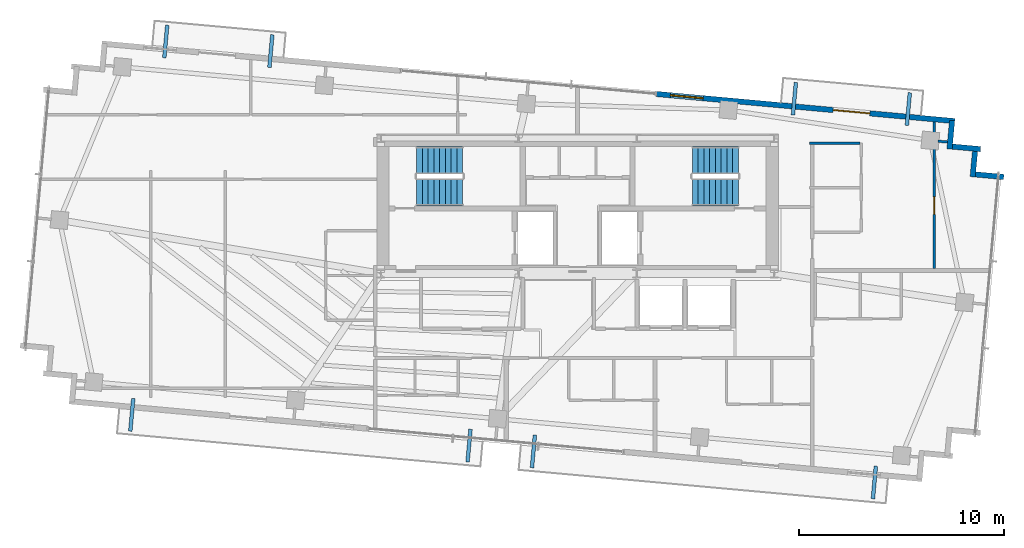
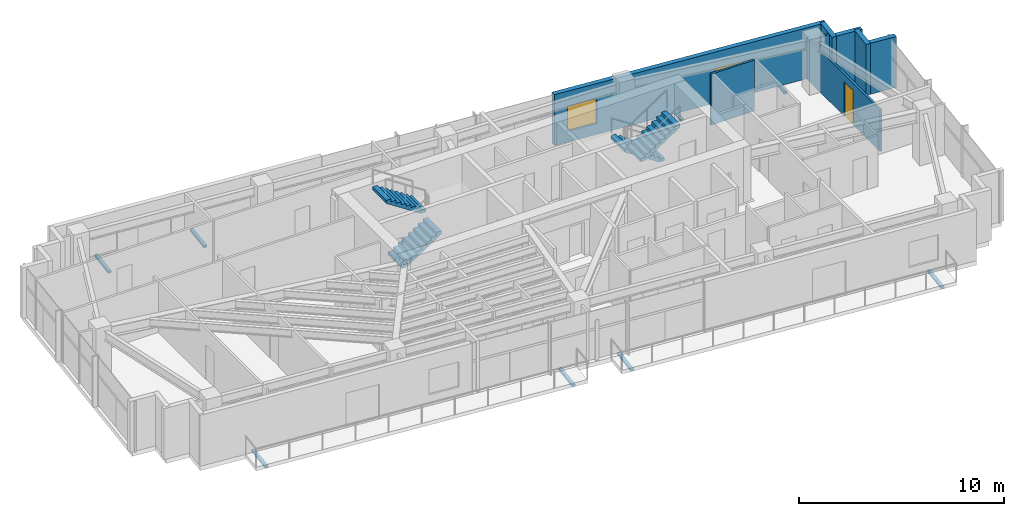
# One storey, part 19 of 22: 8 discrete accessories, 8 walls, 4 stair flights, 2 doors, 1 window, 3 openings, 2 elements without a shape of their own.
"""IFC4 building model written with IfcOpenShell, lengths in metres."""

from ifc_helpers import new_model, si_unit, direction, frame, frame_2d, origin, origin_2d, place, context, subcontext, project, spatial, polyline, rectangle, outline, extrude, source, transform, mapped, material, layer, layer_set, type_object, type_shapes, element, fill, aggregate, save


model = new_model("IFC4")

# Units and contexts
model_context = context("Model", 3, precision=1e-05, world=origin(), true_north=direction((0.0, 1.0)))
body_context = subcontext(model_context, "Body", "Model", "MODEL_VIEW")
ifc_project = project(units=[si_unit("LENGTHUNIT", "METRE"), si_unit("AREAUNIT", "SQUARE_METRE"), si_unit("VOLUMEUNIT", "CUBIC_METRE"), si_unit("PLANEANGLEUNIT", "RADIAN"), si_unit("MASSUNIT", "GRAM", prefix="KILO")], contexts=[model_context])

# Site, building, storey
site_placement = place(None, origin())
site = spatial("IfcSite", under=ifc_project, at=site_placement, CompositionType="ELEMENT")
building_placement = place(site_placement, origin())
building = spatial("IfcBuilding", under=site, at=building_placement, Name="Astriad Promenade Condominiums", CompositionType="ELEMENT")
storey_placement = place(building_placement, frame((0.0, 0.0, 233.10009765625)))
storey = spatial("IfcBuildingStorey", under=building, at=storey_placement, Name="L67", CompositionType="ELEMENT", Elevation=233.10009765625)

# Wall, openings, door, window
ifc_material_1 = material(Name="Precast concrete C50/60", Category="concrete")
ifc_layer_1 = layer(ifc_material_1, 0.260009765625)
ifc_layer_set_1 = layer_set([ifc_layer_1], Name="Precast concrete C50/60")
wall_type_1 = type_object("IfcWallType", Name="WALL-EXT-TWR-260", PredefinedType="STANDARD", material=ifc_layer_set_1)
wall_1_placement = place(storey_placement, frame((39.839111328125, 26.16552734375, 0.0), z_axis=(0.0, 0.0, 1.0), x_axis=(0.995884447498, -0.090632043071, 0.0)))
wall_1 = element("IfcWall", 1, at=wall_1_placement, inside=storey, type_object=wall_type_1, Name="W-EXT-L67-N2", PredefinedType="STANDARD", context=body_context, shape_type="SweptSolid", body=[
    extrude(rectangle(XDim=14.6298828125, YDim=0.260009765625, at=frame_2d((7.31494140625, 0.0))), origin(), (0.0, 0.0, 1.0), 3.039794921875),
])
opening_1_placement = place(wall_1_placement, frame((8.669921875, 0.0, 0.0)))
opening_1 = element("IfcOpeningElement", 2, at=opening_1_placement, cuts=wall_1, Name="Opening BD-1822-SLD", PredefinedType="OPENING", context=body_context, shape_type="SweptSolid", body=[
    extrude(rectangle(XDim=1.800048828125, YDim=2.06005859375, at=frame_2d((0.89990234375, 1.030029296875))), frame((0.0, 0.139892578125, 0.0), z_axis=(0.0, -1.0, 0.0), x_axis=(1.0, 0.0, 0.0)), (0.0, 0.0, 1.0), 0.280029296875),
])
opening_2_placement = place(wall_1_placement, frame((0.699951171875, 0.0, 0.64990234375)))
opening_2 = element("IfcOpeningElement", 3, at=opening_2_placement, cuts=wall_1, Name="Opening WIN-TWR-1620", PredefinedType="OPENING", context=body_context, shape_type="SweptSolid", body=[
    extrude(rectangle(XDim=1.60009765625, YDim=1.5, at=frame_2d((0.800048828125, 0.75))), frame((0.0, 0.139892578125, 0.0), z_axis=(0.0, -1.0, 0.0), x_axis=(1.0, 0.0, 0.0)), (0.0, 0.0, 1.0), 0.280029296875),
])
ifc_material_2 = material(Name="Thermally Broken Aluminium Sliding Balcony Door", Category="aluminium")
door_type_1 = type_object("IfcDoorType", Name="BD-1822-SLD", OperationType="NOTDEFINED", PredefinedType="DOOR", material=ifc_material_2)
shared_shape_1 = source(origin(), body_context, "Body", "SweptSolid", [
    extrude(rectangle(XDim=1.800048828125, YDim=2.06005859375, at=frame_2d((0.89990234375, 1.030029296875))), frame((0.0, 0.02490234375, 0.0), z_axis=(0.0, -1.0, 0.0), x_axis=(1.0, 0.0, 0.0)), (0.0, 0.0, 1.0), 0.050048828125),
])
type_shapes(door_type_1, [shared_shape_1])
door_1_placement = place(opening_1_placement, origin())
door_1 = element("IfcDoor", 4, at=door_1_placement, inside=storey, type_object=door_type_1, Name="BD-L67-NE", OperationType="SLIDING_TO_RIGHT", OverallHeight=2.06005859375, OverallWidth=1.800048828125, PredefinedType="DOOR", context=body_context, shape_type="MappedRepresentation", body=[
    mapped(shared_shape_1, transform((0.0, 0.0, 0.0), scale=1.0)),
])
fill(opening_1, door_1)
ifc_material_3 = material(Name="Dark Tinted Triple-Glazed Aluminium Window", Category="aluminium")
window_type = type_object("IfcWindowType", Name="WIN-TWR-1620", PartitioningType="SINGLE_PANEL", PredefinedType="WINDOW", material=ifc_material_3)
shared_shape_2 = source(origin(), body_context, "Body", "SweptSolid", [
    extrude(rectangle(XDim=1.60009765625, YDim=1.5, at=frame_2d((0.800048828125, 0.75))), frame((0.0, 0.030029296875, 0.0), z_axis=(0.0, -1.0, 0.0), x_axis=(1.0, 0.0, 0.0)), (0.0, 0.0, 1.0), 0.06005859375),
])
type_shapes(window_type, [shared_shape_2])
window_placement = place(opening_2_placement, origin())
window = element("IfcWindow", 5, at=window_placement, inside=storey, type_object=window_type, Name="WIN-L67-NE", OverallHeight=1.5, OverallWidth=1.60009765625, PartitioningType="SINGLE_PANEL", PredefinedType="WINDOW", context=body_context, shape_type="MappedRepresentation", body=[
    mapped(shared_shape_2, transform((0.0, 0.0, 0.0), scale=1.0)),
])
fill(opening_2, window)

# Walls
wall_2_placement = place(storey_placement, frame((54.28076171875, 24.866455078125, 0.0), z_axis=(0.0, 0.0, 1.0), x_axis=(-0.090661991521, -0.995881721538, 0.0)))
element("IfcWall", 6, at=wall_2_placement, inside=storey, type_object=wall_type_1, Name="W-SER-L67-09", PredefinedType="STANDARD", context=body_context, shape_type="SweptSolid", body=[
    extrude(rectangle(XDim=1.39501953125, YDim=0.260009765625, at=frame_2d((0.697509765625, 0.0))), origin(), (0.0, 0.0, 1.0), 3.039794921875),
])
for number, where, z_axis, x_axis, name in (
    (7, (54.280517578125, 23.59619140625, 0.0), (0.0, 0.0, 1.0), (0.995883159782, -0.090646191665, 0.0), "W-SER-L67-10"),
    (8, (55.412353515625, 23.50830078125, 0.0), (0.0, 0.0, 1.0), (-0.090646191665, -0.995883159782, 0.0), "W-SER-L67-11"),
    (9, (55.412109375, 22.238037109375, 0.0), (0.0, 0.0, 1.0), (0.995883159782, -0.090646191665, 0.0), "W-SER-L67-12"),
):
    element("IfcWall", number, at=place(storey_placement, frame(where, z_axis=z_axis, x_axis=x_axis)), inside=storey, type_object=wall_type_1, Name=name, PredefinedType="STANDARD", context=body_context, shape_type="SweptSolid", body=[
        extrude(rectangle(XDim=1.395263671875, YDim=0.260009765625, at=frame_2d((0.69775390625, 0.0))), origin(), (0.0, 0.0, 1.0), 3.039794921875),
    ])
ifc_material_4 = material(Name="Acoustic Metal-Stud Gypsum Partition")
ifc_layer_2 = layer(ifc_material_4, 0.1201171875)
ifc_layer_set_2 = layer_set([ifc_layer_2], Name="Acoustic Metal-Stud Gypsum Partition")
wall_type_2 = type_object("IfcWallType", Name="WALL-PART-120", PredefinedType="PARTITIONING", material=ifc_layer_set_2)
wall_3_placement = place(storey_placement, frame((47.330078125, 23.77001953125, 0.0), z_axis=(0.0, 0.0, 1.0), x_axis=(1.0, 0.0, 0.0)))
element("IfcWall", 10, at=wall_3_placement, inside=storey, type_object=wall_type_2, Name="PT-L67-E2-PN", PredefinedType="PARTITIONING", context=body_context, shape_type="SweptSolid", body=[
    extrude(rectangle(XDim=2.4580078125, YDim=0.1201171875, at=frame_2d((1.22900390625, 0.0))), origin(), (0.0, 0.0, 1.0), 3.039794921875),
])

# Wall, opening, door
wall_4_placement = place(storey_placement, frame((53.4189453125, 17.652099609375, 0.0), z_axis=(0.0, 0.0, 1.0), x_axis=(0.0, 1.0, 0.0)))
wall_4 = element("IfcWall", 11, at=wall_4_placement, inside=storey, type_object=wall_type_2, Name="PT-L67-E2-B1", PredefinedType="PARTITIONING", context=body_context, shape_type="SweptSolid", body=[
    extrude(rectangle(XDim=7.14501953125, YDim=0.1201171875, at=frame_2d((3.572509765625, 0.0))), origin(), (0.0, 0.0, 1.0), 2.482421875),
])
opening_3_placement = place(wall_4_placement, frame((2.635986328125, 0.0, 0.0)))
opening_3 = element("IfcOpeningElement", 12, at=opening_3_placement, cuts=wall_4, Name="Opening D-INT-085", PredefinedType="OPENING", context=body_context, shape_type="SweptSolid", body=[
    extrude(rectangle(XDim=0.85009765625, YDim=2.050048828125, at=frame_2d((0.425048828125, 1.02490234375))), frame((0.0, 0.070068359375, 0.0), z_axis=(0.0, -1.0, 0.0), x_axis=(1.0, 0.0, 0.0)), (0.0, 0.0, 1.0), 0.14013671875),
])
ifc_material_5 = material(Name="Painted Solid-Core Timber Room Door", Category="wood")
door_type_2 = type_object("IfcDoorType", Name="D-INT-085", OperationType="NOTDEFINED", PredefinedType="DOOR", material=ifc_material_5)
shared_shape_3 = source(origin(), body_context, "Body", "SweptSolid", [
    extrude(rectangle(XDim=0.85009765625, YDim=2.050048828125, at=frame_2d((0.425048828125, 1.02490234375))), frame((0.0, 0.02490234375, 0.0), z_axis=(0.0, -1.0, 0.0), x_axis=(1.0, 0.0, 0.0)), (0.0, 0.0, 1.0), 0.050048828125),
])
type_shapes(door_type_2, [shared_shape_3])
door_2_placement = place(opening_3_placement, origin())
door_2 = element("IfcDoor", 13, at=door_2_placement, inside=storey, type_object=door_type_2, Name="D-BD1-L67-E2", OperationType="SINGLE_SWING_RIGHT", OverallHeight=2.050048828125, OverallWidth=0.85009765625, PredefinedType="DOOR", context=body_context, shape_type="MappedRepresentation", body=[
    mapped(shared_shape_3, transform((0.0, 0.0, 0.0), scale=1.0)),
])
fill(opening_3, door_2)

# Wall
wall_5_placement = place(storey_placement, frame((53.5966796875, 23.859375, 0.0), z_axis=(0.0, 0.0, 1.0), x_axis=(0.995884462012, -0.090631883588, 0.0)))
element("IfcWall", 14, at=wall_5_placement, inside=storey, type_object=wall_type_2, Name="PT-PIL-L67-PC10-17", PredefinedType="PARTITIONING", context=body_context, shape_type="SweptSolid", body=[
    extrude(rectangle(XDim=0.4580078125, YDim=0.1201171875, at=frame_2d((0.22900390625, 0.0))), origin(), (0.0, 0.0, 1.0), 3.039794921875),
])

# Stair, stair flights
ifc_material_6 = material(Name="Concrete C50/60", Category="concrete")
stair_type = type_object("IfcStairType", Name="STR-CORE-1350", PredefinedType="HALF_TURN_STAIR", material=ifc_material_6)
stair_1_placement = place(storey_placement, origin())
stair_1 = element("IfcStair", 15, at=stair_1_placement, inside=storey, type_object=stair_type, Name="L67 Enclosed Core Exit Stair ST-1", PredefinedType="HALF_TURN_STAIR")
stair_flight_type = type_object("IfcStairFlightType", Name="SFL-CORE-1350", PredefinedType="STRAIGHT", material=ifc_material_6)
shared_shape_4 = source(origin(), body_context, "Body", "SweptSolid", [
    extrude(outline(polyline([(0.0, 0.0), (0.0, 0.183349609375), (0.280029296875, 0.183349609375), (0.280029296875, 0.36669921875), (0.56005859375, 0.36669921875), (0.56005859375, 0.550048828125), (0.840087890625, 0.550048828125), (0.840087890625, 0.7333984375), (1.1201171875, 0.7333984375), (1.1201171875, 0.916748046875), (1.39990234375, 0.916748046875), (1.39990234375, 1.10009765625), (1.679931640625, 1.10009765625), (1.679931640625, 1.283447265625), (1.9599609375, 1.283447265625), (1.9599609375, 1.466552734375), (2.239990234375, 1.466552734375), (2.239990234375, 1.64990234375), (2.239990234375, 1.28759765625), (0.273681640625, 0.0), (0.0, 0.0)])), frame((0.0, 0.675048828125, 0.0), z_axis=(0.0, -1.0, 0.0), x_axis=(1.0, 0.0, 0.0)), (0.0, 0.0, 1.0), 1.35009765625),
])
type_shapes(stair_flight_type, [shared_shape_4])
stair_flight_1_placement = place(storey_placement, frame((28.14990234375, 21.375, 0.0), z_axis=(0.0, 0.0, 1.0), x_axis=(1.0, 0.0, 0.0)))
stair_flight_1 = element("IfcStairFlight", 16, at=stair_flight_1_placement, type_object=stair_flight_type, Name="ST-1 flight 1", NumberOfRisers=9, NumberOfTreads=8, PredefinedType="STRAIGHT", RiserHeight=0.183333333, TreadLength=0.28, context=body_context, shape_type="MappedRepresentation", body=[
    mapped(shared_shape_4, transform((0.0, 0.0, 0.0), scale=1.0)),
])
stair_flight_2_placement = place(storey_placement, frame((30.389892578125, 22.925048828125, 1.64990234375), z_axis=(0.0, 0.0, 1.0), x_axis=(-1.0, 0.0, 0.0)))
stair_flight_2 = element("IfcStairFlight", 17, at=stair_flight_2_placement, type_object=stair_flight_type, Name="ST-1 flight 2", NumberOfRisers=9, NumberOfTreads=8, PredefinedType="STRAIGHT", RiserHeight=0.183333333, TreadLength=0.28, context=body_context, shape_type="MappedRepresentation", body=[
    mapped(shared_shape_4, transform((0.0, 0.0, 0.0), scale=1.0)),
])
aggregate(stair_1, [stair_flight_1, stair_flight_2])

stair_2_placement = place(storey_placement, origin())
stair_2 = element("IfcStair", 18, at=stair_2_placement, inside=storey, type_object=stair_type, Name="L67 Enclosed Core Exit Stair ST-2", PredefinedType="HALF_TURN_STAIR")
stair_flight_3_placement = place(storey_placement, frame((43.85009765625, 22.925048828125, 0.0), z_axis=(0.0, 0.0, 1.0), x_axis=(-1.0, 0.0, 0.0)))
stair_flight_3 = element("IfcStairFlight", 19, at=stair_flight_3_placement, type_object=stair_flight_type, Name="ST-2 flight 1", NumberOfRisers=9, NumberOfTreads=8, PredefinedType="STRAIGHT", RiserHeight=0.183333333, TreadLength=0.28, context=body_context, shape_type="MappedRepresentation", body=[
    mapped(shared_shape_4, transform((0.0, 0.0, 0.0), scale=1.0)),
])
stair_flight_4_placement = place(storey_placement, frame((41.610107421875, 21.375, 1.64990234375), z_axis=(0.0, 0.0, 1.0), x_axis=(1.0, 0.0, 0.0)))
stair_flight_4 = element("IfcStairFlight", 20, at=stair_flight_4_placement, type_object=stair_flight_type, Name="ST-2 flight 2", NumberOfRisers=9, NumberOfTreads=8, PredefinedType="STRAIGHT", RiserHeight=0.183333333, TreadLength=0.28, context=body_context, shape_type="MappedRepresentation", body=[
    mapped(shared_shape_4, transform((0.0, 0.0, 0.0), scale=1.0)),
])
aggregate(stair_2, [stair_flight_3, stair_flight_4])

# Discrete accessories
ifc_material_7 = material(Name="Steel ASTM A572 Grade 50", Category="steel")
discrete_accessory_type = type_object("IfcDiscreteAccessoryType", Name="STEEL BALCONY OUTRIGGER BRACKET", PredefinedType="BRACKET", material=ifc_material_7)
shared_shape_5 = source(origin(), body_context, "Body", "SweptSolid", [
    extrude(rectangle(XDim=1.60009765625, YDim=0.179931640625, at=origin_2d()), origin(), (0.0, 0.0, 1.0), 0.1220703125),
])
type_shapes(discrete_accessory_type, [shared_shape_5])
for number, where, z_axis, x_axis, name in (
    (21, (14.242919921875, 10.5009765625, -0.340087890625), (0.0, 0.0, 1.0), (-0.090632580198, -0.995884398616, 0.0), "Balcony Outrigger Bracket BAL-L67-SW-A"),
    (22, (30.702880859375, 9.0029296875, -0.340087890625), (0.0, 0.0, 1.0), (-0.090632580198, -0.995884398616, 0.0), "Balcony Outrigger Bracket BAL-L67-SW-B"),
    (23, (33.844970703125, 8.717041015625, -0.340087890625), (0.0, 0.0, 1.0), (-0.090632580198, -0.995884398616, 0.0), "Balcony Outrigger Bracket BAL-L67-SE-A"),
    (24, (50.4873046875, 7.202392578125, -0.340087890625), (0.0, 0.0, 1.0), (-0.090632580198, -0.995884398616, 0.0), "Balcony Outrigger Bracket BAL-L67-SE-B"),
    (25, (15.901611328125, 28.7255859375, -0.340087890625), (0.0, 0.0, 1.0), (0.090632580198, 0.995884398616, 0.0), "Balcony Outrigger Bracket BAL-L67-NW-A"),
    (26, (21.031494140625, 28.2587890625, -0.340087890625), (0.0, 0.0, 1.0), (0.090632580198, 0.995884398616, 0.0), "Balcony Outrigger Bracket BAL-L67-NW-B"),
    (27, (46.585693359375, 25.93310546875, -0.340087890625), (0.0, 0.0, 1.0), (0.090632580198, 0.995884398616, 0.0), "Balcony Outrigger Bracket BAL-L67-NE-A"),
    (28, (52.145751953125, 25.42724609375, -0.340087890625), (0.0, 0.0, 1.0), (0.090632580198, 0.995884398616, 0.0), "Balcony Outrigger Bracket BAL-L67-NE-B"),
):
    element("IfcDiscreteAccessory", number, at=place(storey_placement, frame(where, z_axis=z_axis, x_axis=x_axis)), inside=storey, type_object=discrete_accessory_type, Name=name, PredefinedType="BRACKET", context=body_context, shape_type="MappedRepresentation", body=[
        mapped(shared_shape_5, transform((0.0, 0.0, 0.0), scale=1.0)),
    ])

save(model, "model.ifc")
